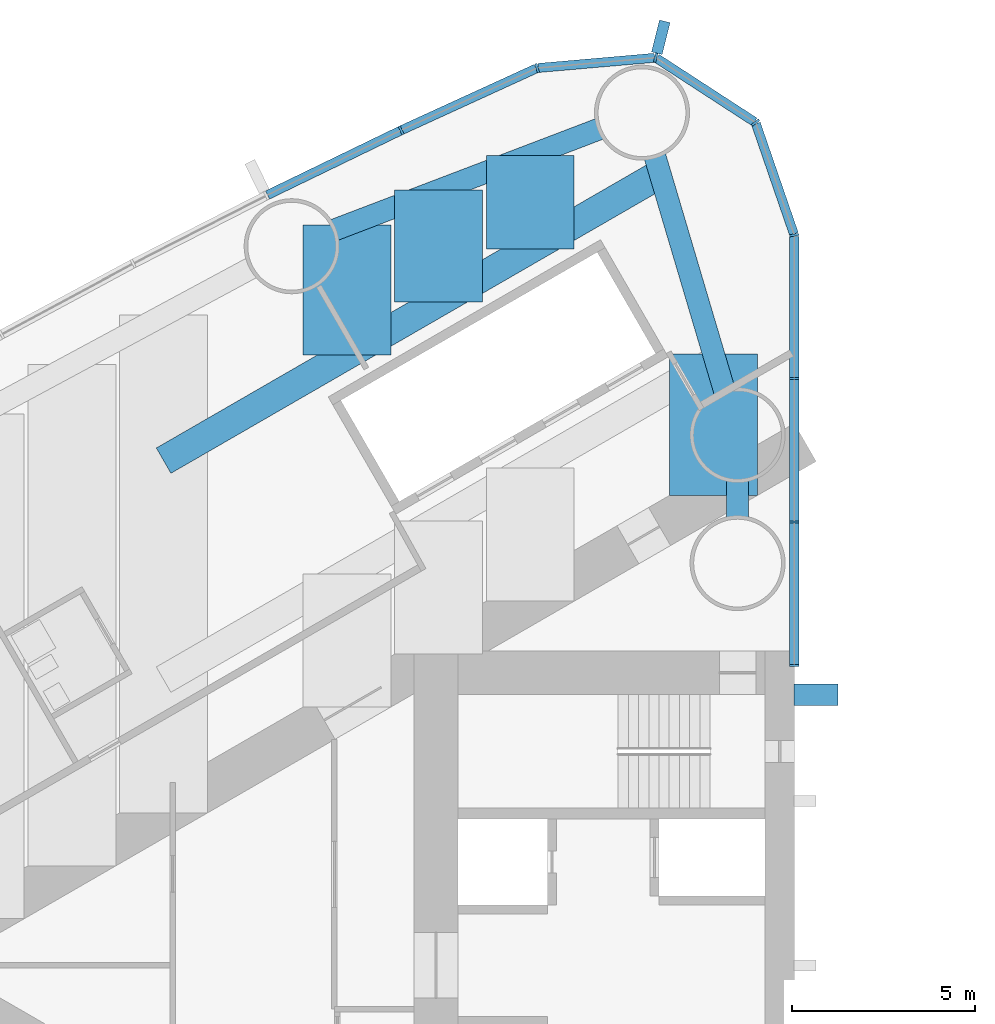
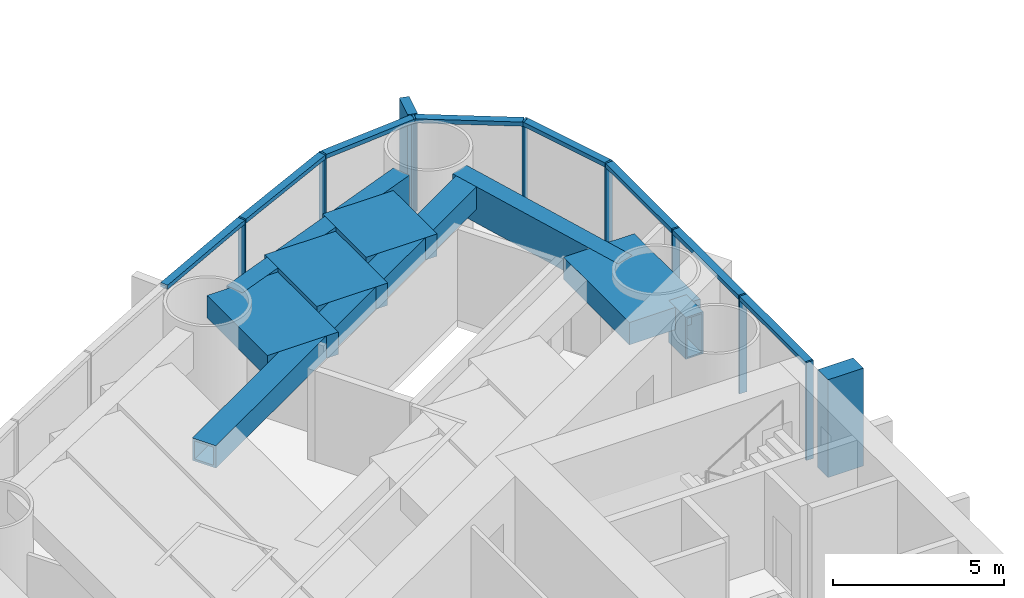
# One storey, part 5 of 19: 18 members, 8 beams, 1 element without a shape of its own.
"""IFC4 building model written with IfcOpenShell, lengths in metres."""

from ifc_helpers import new_model, si_unit, direction, frame, origin, origin_2d, place, context, subcontext, project, spatial, rectangle, hollow_rectangle, extrude, material, material_profile, profile_set, type_object, element, aggregate, save


model = new_model("IFC4")

# Units and contexts
model_context = context("Model", 3, precision=1e-05, world=origin(), true_north=direction((0.0, 1.0)))
body_context = subcontext(model_context, "Body", "Model", "MODEL_VIEW")
ifc_project = project(units=[si_unit("LENGTHUNIT", "METRE"), si_unit("AREAUNIT", "SQUARE_METRE"), si_unit("VOLUMEUNIT", "CUBIC_METRE"), si_unit("PLANEANGLEUNIT", "RADIAN"), si_unit("MASSUNIT", "GRAM", prefix="KILO")], contexts=[model_context])

# Site, building, storey
site_placement = place(None, origin())
site = spatial("IfcSite", under=ifc_project, at=site_placement, CompositionType="ELEMENT")
building_placement = place(site_placement, origin())
building = spatial("IfcBuilding", under=site, at=building_placement, Name="Lancet Gate Hotel", CompositionType="ELEMENT")
storey_placement = place(building_placement, frame((0.0, 0.0, 90.60009765625)))
storey = spatial("IfcBuildingStorey", under=building, at=storey_placement, Name="L23", CompositionType="ELEMENT", Elevation=90.60009765625)

# Curtain wall, members
ifc_material_1 = material(Name="Aluminium curtain wall", Category="aluminium")
curtain_wall_type = type_object("IfcCurtainWallType", Name="Tower unitised curtain wall", PredefinedType="USERDEFINED", material=ifc_material_1)
curtain_wall_placement = place(storey_placement, origin())
curtain_wall = element("IfcCurtainWall", 1, at=curtain_wall_placement, inside=storey, type_object=curtain_wall_type, Name="T1 L23 curtain wall 1", ObjectType="UNITISED CURTAIN WALL", PredefinedType="USERDEFINED")
ifc_material_2 = material(Name="Aluminium mullion", Category="aluminium")
ifc_material_profile_1 = material_profile(ifc_material_2, rectangle(XDim=0.06494140625, YDim=0.25, at=origin_2d()), Name="MULLION 65x250")
ifc_profile_set_1 = profile_set([ifc_material_profile_1], Name="Aluminium mullion")
member_type_1 = type_object("IfcMemberType", Name="Aluminium mullion 65x250", PredefinedType="MULLION", material=ifc_profile_set_1)
member_1_placement = place(storey_placement, frame((-27.5, 8.199951171875, 0.0), z_axis=(0.0, 0.0, 1.0), x_axis=(0.0, 1.0, 0.0)))
member_1 = element("IfcMember", 2, at=member_1_placement, type_object=member_type_1, Name="T1 L23 curtain wall 1 mullion 1", PredefinedType="MULLION", context=body_context, shape_type="SweptSolid", body=[
    extrude(rectangle(XDim=0.06494140625, YDim=0.25, at=origin_2d()), origin(), (0.0, 0.0, 1.0), 3.5),
])
member_2_placement = place(storey_placement, frame((-27.5, 12.123779296875, 0.0), z_axis=(0.0, 0.0, 1.0), x_axis=(0.0, 1.0, 0.0)))
member_2 = element("IfcMember", 3, at=member_2_placement, type_object=member_type_1, Name="T1 L23 curtain wall 1 mullion 2", PredefinedType="MULLION", context=body_context, shape_type="SweptSolid", body=[
    extrude(rectangle(XDim=0.06494140625, YDim=0.25, at=origin_2d()), origin(), (0.0, 0.0, 1.0), 3.5),
])
member_3_placement = place(storey_placement, frame((-27.5, 16.04736328125, 0.0), z_axis=(0.0, 0.0, 1.0), x_axis=(0.0, 1.0, 0.0)))
member_3 = element("IfcMember", 4, at=member_3_placement, type_object=member_type_1, Name="T1 L23 curtain wall 1 mullion 3", PredefinedType="MULLION", context=body_context, shape_type="SweptSolid", body=[
    extrude(rectangle(XDim=0.06494140625, YDim=0.25, at=origin_2d()), origin(), (0.0, 0.0, 1.0), 3.5),
])
member_4_placement = place(storey_placement, frame((-27.5, 19.97119140625, 0.0), z_axis=(0.0, 0.0, 1.0), x_axis=(-0.149634446211, 0.988741388082, 0.0)))
member_4 = element("IfcMember", 5, at=member_4_placement, type_object=member_type_1, Name="T1 L23 curtain wall 1 mullion 4", PredefinedType="MULLION", context=body_context, shape_type="SweptSolid", body=[
    extrude(rectangle(XDim=0.06494140625, YDim=0.25, at=origin_2d()), origin(), (0.0, 0.0, 1.0), 3.5),
])
member_5_placement = place(storey_placement, frame((-28.5595703125, 23.049072265625, 0.0), z_axis=(0.0, 0.0, 1.0), x_axis=(-0.615574240878, 0.788078900851, 0.0)))
member_5 = element("IfcMember", 6, at=member_5_placement, type_object=member_type_1, Name="T1 L23 curtain wall 1 mullion 5", PredefinedType="MULLION", context=body_context, shape_type="SweptSolid", body=[
    extrude(rectangle(XDim=0.06494140625, YDim=0.25, at=origin_2d()), origin(), (0.0, 0.0, 1.0), 3.5),
])
member_6_placement = place(storey_placement, frame((-31.289306640625, 24.822265625, 0.0), z_axis=(0.0, 0.0, 1.0), x_axis=(-0.970242142288, 0.242136707934, 0.0)))
member_6 = element("IfcMember", 7, at=member_6_placement, type_object=member_type_1, Name="T1 L23 curtain wall 1 mullion 6", PredefinedType="MULLION", context=body_context, shape_type="SweptSolid", body=[
    extrude(rectangle(XDim=0.06494140625, YDim=0.25, at=origin_2d()), origin(), (0.0, 0.0, 1.0), 3.5),
])
member_7_placement = place(storey_placement, frame((-34.5322265625, 24.53955078125, 0.0), z_axis=(0.0, 0.0, 1.0), x_axis=(-0.961653318232, -0.27426792655, 0.0)))
member_7 = element("IfcMember", 8, at=member_7_placement, type_object=member_type_1, Name="T1 L23 curtain wall 1 mullion 7", PredefinedType="MULLION", context=body_context, shape_type="SweptSolid", body=[
    extrude(rectangle(XDim=0.06494140625, YDim=0.25, at=origin_2d()), origin(), (0.0, 0.0, 1.0), 3.5),
])
member_8_placement = place(storey_placement, frame((-38.25244140625, 22.83642578125, 0.0), z_axis=(0.0, 0.0, 1.0), x_axis=(-0.904719609771, -0.426007544178, 0.0)))
member_8 = element("IfcMember", 9, at=member_8_placement, type_object=member_type_1, Name="T1 L23 curtain wall 1 mullion 8", PredefinedType="MULLION", context=body_context, shape_type="SweptSolid", body=[
    extrude(rectangle(XDim=0.06494140625, YDim=0.25, at=origin_2d()), origin(), (0.0, 0.0, 1.0), 3.5),
])
ifc_material_3 = material(Name="Aluminium transom", Category="aluminium")
ifc_material_profile_2 = material_profile(ifc_material_3, rectangle(XDim=0.25, YDim=0.14990234375, at=origin_2d()), Name="TRANSOM 250x150")
ifc_profile_set_2 = profile_set([ifc_material_profile_2], Name="Aluminium transom")
member_type_2 = type_object("IfcMemberType", Name="Aluminium transom 250x150", PredefinedType="USERDEFINED", material=ifc_profile_set_2)
member_9_placement = place(storey_placement, frame((-27.5, 8.232421875, 3.4248046875), z_axis=(0.0, 1.0, 0.0), x_axis=(-1.0, 0.0, 0.0)))
member_9 = element("IfcMember", 10, at=member_9_placement, type_object=member_type_2, Name="T1 L23 curtain wall 1 transom 1", ObjectType="TRANSOM", PredefinedType="USERDEFINED", context=body_context, shape_type="SweptSolid", body=[
    extrude(rectangle(XDim=0.25, YDim=0.14990234375, at=origin_2d()), origin(), (0.0, 0.0, 1.0), 3.85888671875),
])
member_10_placement = place(storey_placement, frame((-27.5, 12.15625, 3.4248046875), z_axis=(0.0, 1.0, 0.0), x_axis=(-1.0, 0.0, 0.0)))
member_10 = element("IfcMember", 11, at=member_10_placement, type_object=member_type_2, Name="T1 L23 curtain wall 1 transom 2", ObjectType="TRANSOM", PredefinedType="USERDEFINED", context=body_context, shape_type="SweptSolid", body=[
    extrude(rectangle(XDim=0.25, YDim=0.14990234375, at=origin_2d()), origin(), (0.0, 0.0, 1.0), 3.858642578125),
])
member_11_placement = place(storey_placement, frame((-27.5, 16.079833984375, 3.4248046875), z_axis=(0.0, 1.0, 0.0), x_axis=(-1.0, 0.0, 0.0)))
member_11 = element("IfcMember", 12, at=member_11_placement, type_object=member_type_2, Name="T1 L23 curtain wall 1 transom 3", ObjectType="TRANSOM", PredefinedType="USERDEFINED", context=body_context, shape_type="SweptSolid", body=[
    extrude(rectangle(XDim=0.25, YDim=0.14990234375, at=origin_2d()), origin(), (0.0, 0.0, 1.0), 3.858642578125),
])
member_12_placement = place(storey_placement, frame((-27.510498046875, 20.001708984375, 3.4248046875), z_axis=(-0.32553312754, 0.945530635609, 0.0), x_axis=(-0.945530635609, -0.32553312754, 0.0)))
member_12 = element("IfcMember", 13, at=member_12_placement, type_object=member_type_2, Name="T1 L23 curtain wall 1 transom 4", ObjectType="TRANSOM", PredefinedType="USERDEFINED", context=body_context, shape_type="SweptSolid", body=[
    extrude(rectangle(XDim=0.25, YDim=0.14990234375, at=origin_2d()), origin(), (0.0, 0.0, 1.0), 3.1904296875),
])
member_13_placement = place(storey_placement, frame((-28.5869140625, 23.066650390625, 3.4248046875), z_axis=(-0.838550259452, 0.544824249068, 0.0), x_axis=(-0.544824249068, -0.838550259452, 0.0)))
member_13 = element("IfcMember", 14, at=member_13_placement, type_object=member_type_2, Name="T1 L23 curtain wall 1 transom 5", ObjectType="TRANSOM", PredefinedType="USERDEFINED", context=body_context, shape_type="SweptSolid", body=[
    extrude(rectangle(XDim=0.25, YDim=0.14990234375, at=origin_2d()), origin(), (0.0, 0.0, 1.0), 3.190185546875),
])
member_14_placement = place(storey_placement, frame((-31.32177734375, 24.819580078125, 3.4248046875), z_axis=(-0.996213545522, -0.086940046686, 0.0), x_axis=(0.086940046686, -0.996213545522, 0.0)))
member_14 = element("IfcMember", 15, at=member_14_placement, type_object=member_type_2, Name="T1 L23 curtain wall 1 transom 6", ObjectType="TRANSOM", PredefinedType="USERDEFINED", context=body_context, shape_type="SweptSolid", body=[
    extrude(rectangle(XDim=0.25, YDim=0.14990234375, at=origin_2d()), origin(), (0.0, 0.0, 1.0), 3.18994140625),
])
member_15_placement = place(storey_placement, frame((-34.561767578125, 24.52587890625, 3.4248046875), z_axis=(-0.909252284196, -0.416245460857, 0.0), x_axis=(0.416245460857, -0.909252284196, 0.0)))
member_15 = element("IfcMember", 16, at=member_15_placement, type_object=member_type_2, Name="T1 L23 curtain wall 1 transom 7", ObjectType="TRANSOM", PredefinedType="USERDEFINED", context=body_context, shape_type="SweptSolid", body=[
    extrude(rectangle(XDim=0.25, YDim=0.14990234375, at=origin_2d()), origin(), (0.0, 0.0, 1.0), 4.026611328125),
])
member_16_placement = place(storey_placement, frame((-38.28173828125, 22.822265625, 3.4248046875), z_axis=(-0.900065677074, -0.435754262117, 0.0), x_axis=(0.435754262117, -0.900065677074, 0.0)))
member_16 = element("IfcMember", 17, at=member_16_placement, type_object=member_type_2, Name="T1 L23 curtain wall 1 transom 8", ObjectType="TRANSOM", PredefinedType="USERDEFINED", context=body_context, shape_type="SweptSolid", body=[
    extrude(rectangle(XDim=0.25, YDim=0.14990234375, at=origin_2d()), origin(), (0.0, 0.0, 1.0), 4.026611328125),
])

# Beams
ifc_material_4 = material(Name="Steel S460QL", Category="steel")
ifc_material_profile_3 = material_profile(ifc_material_4, hollow_rectangle(XDim=0.60009765625, YDim=1.300048828125, WallThickness=0.050048828125, at=origin_2d()), Name="BOX 1300x600x50")
ifc_profile_set_3 = profile_set([ifc_material_profile_3], Name="Steel S460QL")
beam_type_1 = type_object("IfcBeamType", Name="Edge beam BOX 1300x600x50", PredefinedType="SPANDREL", material=ifc_profile_set_3)
beam_1_placement = place(storey_placement, frame((-32.83251953125, 22.873046875, 2.599853515625), z_axis=(-0.934393420169, -0.356242805324, 0.0), x_axis=(0.356242805324, -0.934393420169, 0.0)))
element("IfcBeam", 18, at=beam_1_placement, inside=storey, type_object=beam_type_1, Name="T1 edge beam EB2 L23", PredefinedType="SPANDREL", context=body_context, shape_type="SweptSolid", body=[
    extrude(hollow_rectangle(XDim=0.60009765625, YDim=1.300048828125, WallThickness=0.050048828125, at=origin_2d()), origin(), (0.0, 0.0, 1.0), 7.7529296875),
])
beam_2_placement = place(storey_placement, frame((-31.309326171875, 22.119873046875, 2.599853515625), z_axis=(0.284283174747, -0.958740359303, 0.0), x_axis=(0.958740359303, 0.284283174747, 0.0)))
element("IfcBeam", 19, at=beam_2_placement, inside=storey, type_object=beam_type_1, Name="T1 edge beam EB2 L23", PredefinedType="SPANDREL", context=body_context, shape_type="SweptSolid", body=[
    extrude(hollow_rectangle(XDim=0.60009765625, YDim=1.300048828125, WallThickness=0.050048828125, at=origin_2d()), origin(), (0.0, 0.0, 1.0), 6.69775390625),
])

# Member
ifc_material_5 = material(Name="Concrete C60/75", Category="concrete")
ifc_material_profile_4 = material_profile(ifc_material_5, rectangle(XDim=0.60009765625, YDim=1.199951171875, at=origin_2d()), Name="FIN 600x1200")
ifc_profile_set_4 = profile_set([ifc_material_profile_4], Name="Concrete C60/75")
member_type_3 = type_object("IfcMemberType", Name="Exposed concrete buttress pilaster 600x1200", PredefinedType="USERDEFINED", material=ifc_profile_set_4)
member_17_placement = place(storey_placement, frame((-26.909912109375, 7.39990234375, 0.0), z_axis=(0.0, 0.0, 1.0), x_axis=(0.0, 1.0, 0.0)))
element("IfcMember", 20, at=member_17_placement, inside=storey, type_object=member_type_3, Name="T1 buttress pilaster S L23", ObjectType="FIN", PredefinedType="USERDEFINED", context=body_context, shape_type="SweptSolid", body=[
    extrude(rectangle(XDim=0.60009765625, YDim=1.199951171875, at=origin_2d()), origin(), (0.0, 0.0, 1.0), 3.5),
])

ifc_material_6 = material(Name="Precast concrete C50/60", Category="concrete")
ifc_material_profile_5 = material_profile(ifc_material_6, rectangle(XDim=0.300048828125, YDim=0.89990234375, at=origin_2d()), Name="FIN 300x900")
ifc_profile_set_5 = profile_set([ifc_material_profile_5], Name="Precast concrete C50/60")
member_type_4 = type_object("IfcMemberType", Name="Exposed concrete fin 300x900", PredefinedType="USERDEFINED", material=ifc_profile_set_5)
member_18_placement = place(storey_placement, frame((-31.150146484375, 25.380126953125, 0.0), z_axis=(0.0, 0.0, 1.0), x_axis=(-0.970242142288, 0.242136707934, 0.0)))
member_18 = element("IfcMember", 21, at=member_18_placement, type_object=member_type_4, Name="T1 L23 curtain wall 1 fin 6", ObjectType="FIN", PredefinedType="USERDEFINED", context=body_context, shape_type="SweptSolid", body=[
    extrude(rectangle(XDim=0.300048828125, YDim=0.89990234375, at=origin_2d()), origin(), (0.0, 0.0, 1.0), 3.5),
])

aggregate(curtain_wall, [member_1, member_2, member_3, member_4, member_5, member_6, member_18, member_7, member_8, member_9, member_10, member_11, member_12, member_13, member_14, member_15, member_16])

# Beams
ifc_material_7 = material(Name="Concrete C50/60", Category="concrete")
ifc_material_profile_6 = material_profile(ifc_material_7, rectangle(XDim=2.39990234375, YDim=0.800048828125, at=origin_2d()), Name="RC 2400x800")
ifc_profile_set_6 = profile_set([ifc_material_profile_6], Name="Concrete C50/60")
beam_type_2 = type_object("IfcBeamType", Name="Floor beam RC 2400x800", PredefinedType="BEAM", material=ifc_profile_set_6)
beam_3_placement = place(storey_placement, frame((-29.706787109375, 16.71533203125, 2.849853515625), z_axis=(0.0, -1.0, 0.0), x_axis=(1.0, 0.0, 0.0)))
element("IfcBeam", 22, at=beam_3_placement, inside=storey, type_object=beam_type_2, Name="T1 floor beam F02S L23", PredefinedType="BEAM", context=body_context, shape_type="SweptSolid", body=[
    extrude(rectangle(XDim=2.39990234375, YDim=0.800048828125, at=origin_2d()), origin(), (0.0, 0.0, 1.0), 3.86279296875),
])
beam_4_placement = place(storey_placement, frame((-34.720458984375, 22.1533203125, 2.849853515625), z_axis=(0.0, -1.0, 0.0), x_axis=(1.0, 0.0, 0.0)))
element("IfcBeam", 23, at=beam_4_placement, inside=storey, type_object=beam_type_2, Name="T1 floor beam F04SA L23", PredefinedType="BEAM", context=body_context, shape_type="SweptSolid", body=[
    extrude(rectangle(XDim=2.39990234375, YDim=0.800048828125, at=origin_2d()), origin(), (0.0, 0.0, 1.0), 2.561767578125),
])
beam_5_placement = place(storey_placement, frame((-37.227294921875, 21.197509765625, 2.849853515625), z_axis=(0.0, -1.0, 0.0), x_axis=(1.0, 0.0, 0.0)))
element("IfcBeam", 24, at=beam_5_placement, inside=storey, type_object=beam_type_2, Name="T1 floor beam F05SA L23", PredefinedType="BEAM", context=body_context, shape_type="SweptSolid", body=[
    extrude(rectangle(XDim=2.39990234375, YDim=0.800048828125, at=origin_2d()), origin(), (0.0, 0.0, 1.0), 3.053466796875),
])
beam_6_placement = place(storey_placement, frame((-39.734130859375, 20.24169921875, 2.849853515625), z_axis=(0.0, -1.0, 0.0), x_axis=(1.0, 0.0, 0.0)))
element("IfcBeam", 25, at=beam_6_placement, inside=storey, type_object=beam_type_2, Name="T1 floor beam F07SA L23", PredefinedType="BEAM", context=body_context, shape_type="SweptSolid", body=[
    extrude(rectangle(XDim=2.39990234375, YDim=0.800048828125, at=origin_2d()), origin(), (0.0, 0.0, 1.0), 3.545166015625),
])
ifc_material_8 = material(Name="Steel S460QL", Category="steel")
ifc_material_profile_7 = material_profile(ifc_material_8, hollow_rectangle(XDim=0.60009765625, YDim=1.5, WallThickness=0.050048828125, at=origin_2d()), Name="BOX 1500x600x50")
ifc_profile_set_7 = profile_set([ifc_material_profile_7], Name="Steel S460QL")
beam_type_3 = type_object("IfcBeamType", Name="Inner-face link beam BOX 1500x600x50", PredefinedType="BEAM", material=ifc_profile_set_7)
beam_7_placement = place(storey_placement, frame((-29.050048828125, 13.25, 2.5), z_axis=(0.0, -1.0, 0.0), x_axis=(1.0, 0.0, 0.0)))
element("IfcBeam", 26, at=beam_7_placement, inside=storey, type_object=beam_type_3, Name="T1 inner-face link beam LK1 L23", PredefinedType="BEAM", context=body_context, shape_type="SweptSolid", body=[
    extrude(hollow_rectangle(XDim=0.60009765625, YDim=1.5, WallThickness=0.050048828125, at=origin_2d()), origin(), (0.0, 0.0, 1.0), 1.0),
])
ifc_material_9 = material(Name="Steel S460QL", Category="steel")
ifc_material_profile_8 = material_profile(ifc_material_9, hollow_rectangle(XDim=0.800048828125, YDim=0.800048828125, WallThickness=0.080078125, at=origin_2d()), Name="BOX 800x800x80")
ifc_profile_set_8 = profile_set([ifc_material_profile_8], Name="Steel S460QL")
beam_type_4 = type_object("IfcBeamType", Name="Trimmer beam BOX 800x800x80", PredefinedType="BEAM", material=ifc_profile_set_8)
beam_8_placement = place(storey_placement, frame((-31.16796875, 21.642822265625, 2.849853515625), z_axis=(-0.866004868127, -0.500035567115, 0.0), x_axis=(0.500035567115, -0.866004868127, 0.0)))
element("IfcBeam", 27, at=beam_8_placement, inside=storey, type_object=beam_type_4, Name="T1 trimmer beam TR04S L23", PredefinedType="BEAM", context=body_context, shape_type="SweptSolid", body=[
    extrude(hollow_rectangle(XDim=0.800048828125, YDim=0.800048828125, WallThickness=0.080078125, at=origin_2d()), origin(), (0.0, 0.0, 1.0), 15.680908203125),
])

save(model, "model.ifc")
